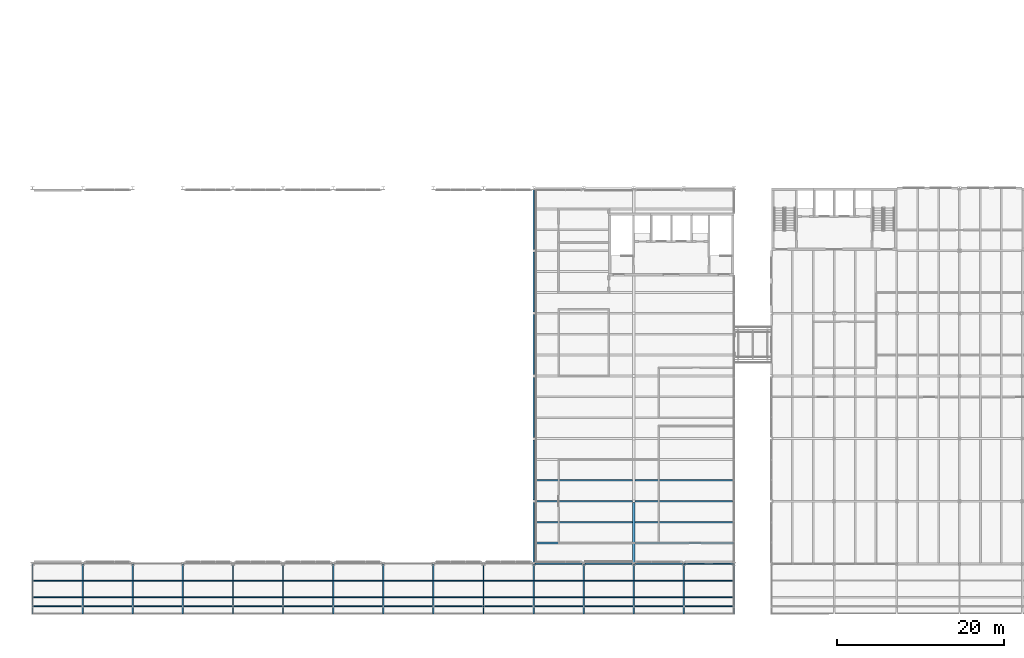
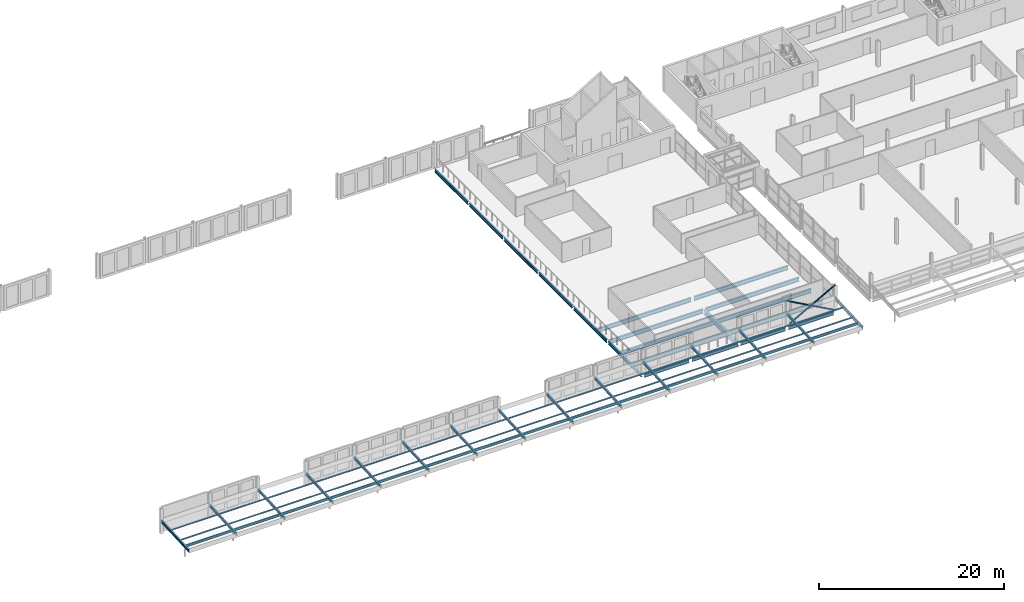
# One storey, part 36 of 214: 46 members, 33 beams.
"""IFC4 building model written with IfcOpenShell, lengths in metres."""

from ifc_helpers import new_model, si_unit, direction, frame, origin, origin_2d, place, context, subcontext, project, spatial, hollow_circle, i_section, extrude, material, material_profile, profile_set, type_object, element, save


model = new_model("IFC4")

# Units and contexts
model_context = context("Model", 3, precision=1e-05, world=origin(), true_north=direction((0.0, 1.0)))
body_context = subcontext(model_context, "Body", "Model", "MODEL_VIEW")
ifc_project = project(units=[si_unit("LENGTHUNIT", "METRE"), si_unit("AREAUNIT", "SQUARE_METRE"), si_unit("VOLUMEUNIT", "CUBIC_METRE"), si_unit("PLANEANGLEUNIT", "RADIAN"), si_unit("MASSUNIT", "GRAM", prefix="KILO")], contexts=[model_context])

# Site, building, storey
site_placement = place(None, origin())
site = spatial("IfcSite", under=ifc_project, at=site_placement, CompositionType="ELEMENT")
building_placement = place(site_placement, origin())
building = spatial("IfcBuilding", under=site, at=building_placement, Name="Parallax Yard Mobility Hub", CompositionType="ELEMENT")
storey_placement = place(building_placement, frame((0.0, 0.0, 3.300048828125)))
storey = spatial("IfcBuildingStorey", under=building, at=storey_placement, Name="L01", CompositionType="ELEMENT", Elevation=3.300048828125)

# Beams
ifc_material_1 = material(Name="Steel ASTM A992", Category="steel")
ifc_material_profile_1 = material_profile(ifc_material_1, i_section(OverallWidth=0.1650390625, OverallDepth=0.31005859375, WebThickness=0.005859375, FlangeThickness=0.009765625, at=origin_2d()), Name="W310x39")
ifc_profile_set_1 = profile_set([ifc_material_profile_1], Name="Steel ASTM A992")
beam_type_1 = type_object("IfcBeamType", Name="Arcade edge beam W310x39", PredefinedType="SPANDREL", material=ifc_profile_set_1)
for number, where, z_axis, x_axis, name in (
    (1, (9.08251953125, 2.40771484375, 1.35546875), (1.0, 0.0, 0.0), (0.0, 0.998752343433, 0.049937525845), "Arcade edge beam V1 bay 1"),
    (2, (15.08251953125, 2.40771484375, 1.35546875), (1.0, 0.0, 0.0), (0.0, 0.998752343433, 0.049937525845), "Arcade edge beam V1 bay 2"),
    (3, (21.08251953125, 2.40771484375, 1.35546875), (1.0, 0.0, 0.0), (0.0, 0.998752343433, 0.049937525845), "Arcade edge beam V1 bay 3"),
    (4, (27.08251953125, 2.40771484375, 1.35546875), (1.0, 0.0, 0.0), (0.0, 0.998752343433, 0.049937525845), "Arcade edge beam V1 bay 4"),
    (5, (33.08251953125, 2.40771484375, 1.35546875), (1.0, 0.0, 0.0), (0.0, 0.998752343433, 0.049937525845), "Arcade edge beam V1 bay 5"),
    (6, (39.08251953125, 2.40771484375, 1.35546875), (1.0, 0.0, 0.0), (0.0, 0.998752343433, 0.049937525845), "Arcade edge beam V1 bay 6"),
    (7, (45.08251953125, 2.40771484375, 1.35546875), (1.0, 0.0, 0.0), (0.0, 0.998752343433, 0.049937525845), "Arcade edge beam V1 bay 7"),
    (8, (51.08251953125, 2.40771484375, 1.35546875), (1.0, 0.0, 0.0), (0.0, 0.998752343433, 0.049937525845), "Arcade edge beam V1 bay 8"),
    (9, (57.08251953125, 2.40771484375, 1.35546875), (1.0, 0.0, 0.0), (0.0, 0.998752343433, 0.049937525845), "Arcade edge beam V1 bay 9"),
    (10, (63.08251953125, 2.40771484375, 1.35546875), (1.0, 0.0, 0.0), (0.0, 0.998752343433, 0.049937525845), "Arcade edge beam V1 bay 10"),
    (11, (69.08251953125, 2.40771484375, 1.35546875), (1.0, 0.0, 0.0), (0.0, 0.998752343433, 0.049937525845), "Arcade edge beam V1 bay 11"),
    (12, (75.08251953125, 2.40771484375, 1.35546875), (1.0, 0.0, 0.0), (0.0, 0.998752343433, 0.049937525845), "Arcade edge beam V1 bay 12"),
    (13, (81.08251953125, 2.40771484375, 1.35546875), (1.0, 0.0, 0.0), (0.0, 0.998752343433, 0.049937525845), "Arcade edge beam V1 bay 13"),
    (14, (87.08251953125, 2.40771484375, 1.35546875), (1.0, 0.0, 0.0), (0.0, 0.998752343433, 0.049937525845), "Arcade edge beam V1 bay 14"),
):
    element("IfcBeam", number, at=place(storey_placement, frame(where, z_axis=z_axis, x_axis=x_axis)), inside=storey, type_object=beam_type_1, Name=name, PredefinedType="SPANDREL", context=body_context, shape_type="SweptSolid", body=[
        extrude(i_section(OverallWidth=0.1650390625, OverallDepth=0.31005859375, WebThickness=0.005859375, FlangeThickness=0.009765625, at=origin_2d()), origin(), (0.0, 0.0, 1.0), 5.8349609375),
    ])

# Members
ifc_material_profile_2 = material_profile(ifc_material_1, i_section(OverallWidth=0.10205078125, OverallDepth=0.153076171875, WebThickness=0.005859375, FlangeThickness=0.007080078125, at=origin_2d()), Name="W150x18")
ifc_profile_set_2 = profile_set([ifc_material_profile_2], Name="Steel ASTM A992")
member_type_1 = type_object("IfcMemberType", Name="Arcade purlin W150x18", PredefinedType="PURLIN", material=ifc_profile_set_2)
for number, where, z_axis, x_axis, name in (
    (15, (9.08251953125, 3.50390625, 1.489013671875), (1.0, 0.0, 0.0), (0.0, 0.998752343433, 0.049937525845), "Arcade purlin V1 bay 1 line 1"),
    (16, (9.08251953125, 5.50390625, 1.5888671875), (1.0, 0.0, 0.0), (0.0, 0.998752343433, 0.049937525845), "Arcade purlin V1 bay 1 line 2"),
    (17, (15.08251953125, 3.50390625, 1.489013671875), (1.0, 0.0, 0.0), (0.0, 0.998752343433, 0.049937525845), "Arcade purlin V1 bay 2 line 1"),
    (18, (15.08251953125, 5.50390625, 1.5888671875), (1.0, 0.0, 0.0), (0.0, 0.998752343433, 0.049937525845), "Arcade purlin V1 bay 2 line 2"),
    (19, (21.08251953125, 3.50390625, 1.489013671875), (1.0, 0.0, 0.0), (0.0, 0.998752343433, 0.049937525845), "Arcade purlin V1 bay 3 line 1"),
    (20, (21.08251953125, 5.50390625, 1.5888671875), (1.0, 0.0, 0.0), (0.0, 0.998752343433, 0.049937525845), "Arcade purlin V1 bay 3 line 2"),
    (21, (27.08251953125, 3.50390625, 1.489013671875), (1.0, 0.0, 0.0), (0.0, 0.998752343433, 0.049937525845), "Arcade purlin V1 bay 4 line 1"),
    (22, (27.08251953125, 5.50390625, 1.5888671875), (1.0, 0.0, 0.0), (0.0, 0.998752343433, 0.049937525845), "Arcade purlin V1 bay 4 line 2"),
    (23, (33.08251953125, 3.50390625, 1.489013671875), (1.0, 0.0, 0.0), (0.0, 0.998752343433, 0.049937525845), "Arcade purlin V1 bay 5 line 1"),
    (24, (33.08251953125, 5.50390625, 1.5888671875), (1.0, 0.0, 0.0), (0.0, 0.998752343433, 0.049937525845), "Arcade purlin V1 bay 5 line 2"),
    (25, (39.08251953125, 3.50390625, 1.489013671875), (1.0, 0.0, 0.0), (0.0, 0.998752343433, 0.049937525845), "Arcade purlin V1 bay 6 line 1"),
    (26, (39.08251953125, 5.50390625, 1.5888671875), (1.0, 0.0, 0.0), (0.0, 0.998752343433, 0.049937525845), "Arcade purlin V1 bay 6 line 2"),
    (27, (45.08251953125, 3.50390625, 1.489013671875), (1.0, 0.0, 0.0), (0.0, 0.998752343433, 0.049937525845), "Arcade purlin V1 bay 7 line 1"),
    (28, (45.08251953125, 5.50390625, 1.5888671875), (1.0, 0.0, 0.0), (0.0, 0.998752343433, 0.049937525845), "Arcade purlin V1 bay 7 line 2"),
    (29, (51.08251953125, 3.50390625, 1.489013671875), (1.0, 0.0, 0.0), (0.0, 0.998752343433, 0.049937525845), "Arcade purlin V1 bay 8 line 1"),
    (30, (51.08251953125, 5.50390625, 1.5888671875), (1.0, 0.0, 0.0), (0.0, 0.998752343433, 0.049937525845), "Arcade purlin V1 bay 8 line 2"),
    (31, (57.08251953125, 3.50390625, 1.489013671875), (1.0, 0.0, 0.0), (0.0, 0.998752343433, 0.049937525845), "Arcade purlin V1 bay 9 line 1"),
    (32, (57.08251953125, 5.50390625, 1.5888671875), (1.0, 0.0, 0.0), (0.0, 0.998752343433, 0.049937525845), "Arcade purlin V1 bay 9 line 2"),
    (33, (63.08251953125, 3.50390625, 1.489013671875), (1.0, 0.0, 0.0), (0.0, 0.998752343433, 0.049937525845), "Arcade purlin V1 bay 10 line 1"),
    (34, (63.08251953125, 5.50390625, 1.5888671875), (1.0, 0.0, 0.0), (0.0, 0.998752343433, 0.049937525845), "Arcade purlin V1 bay 10 line 2"),
    (35, (69.08251953125, 3.50390625, 1.489013671875), (1.0, 0.0, 0.0), (0.0, 0.998752343433, 0.049937525845), "Arcade purlin V1 bay 11 line 1"),
    (36, (69.08251953125, 5.50390625, 1.5888671875), (1.0, 0.0, 0.0), (0.0, 0.998752343433, 0.049937525845), "Arcade purlin V1 bay 11 line 2"),
    (37, (75.08251953125, 3.50390625, 1.489013671875), (1.0, 0.0, 0.0), (0.0, 0.998752343433, 0.049937525845), "Arcade purlin V1 bay 12 line 1"),
    (38, (75.08251953125, 5.50390625, 1.5888671875), (1.0, 0.0, 0.0), (0.0, 0.998752343433, 0.049937525845), "Arcade purlin V1 bay 12 line 2"),
    (39, (81.08251953125, 3.50390625, 1.489013671875), (1.0, 0.0, 0.0), (0.0, 0.998752343433, 0.049937525845), "Arcade purlin V1 bay 13 line 1"),
    (40, (81.08251953125, 5.50390625, 1.5888671875), (1.0, 0.0, 0.0), (0.0, 0.998752343433, 0.049937525845), "Arcade purlin V1 bay 13 line 2"),
    (41, (87.08251953125, 3.50390625, 1.489013671875), (1.0, 0.0, 0.0), (0.0, 0.998752343433, 0.049937525845), "Arcade purlin V1 bay 14 line 1"),
    (42, (87.08251953125, 5.50390625, 1.5888671875), (1.0, 0.0, 0.0), (0.0, 0.998752343433, 0.049937525845), "Arcade purlin V1 bay 14 line 2"),
):
    element("IfcMember", number, at=place(storey_placement, frame(where, z_axis=z_axis, x_axis=x_axis)), inside=storey, type_object=member_type_1, Name=name, PredefinedType="PURLIN", context=body_context, shape_type="SweptSolid", body=[
        extrude(i_section(OverallWidth=0.10205078125, OverallDepth=0.153076171875, WebThickness=0.005859375, FlangeThickness=0.007080078125, at=origin_2d()), origin(), (0.0, 0.0, 1.0), 5.8349609375),
    ])
ifc_material_profile_3 = material_profile(ifc_material_1, i_section(OverallWidth=0.1650390625, OverallDepth=0.31005859375, WebThickness=0.005859375, FlangeThickness=0.009765625, at=origin_2d()), Name="W310x39")
ifc_profile_set_3 = profile_set([ifc_material_profile_3], Name="Steel ASTM A992")
member_type_2 = type_object("IfcMemberType", Name="Arcade rafter W310x39", PredefinedType="RAFTER", material=ifc_profile_set_3)
for number, where, z_axis, x_axis, name in (
    (43, (9.0, 1.517578125, 1.31103515625), (0.0, 0.998751932804, 0.049945737755), (-1.0, 0.0, 0.0), "Arcade rafter V1 1"),
    (44, (15.0, 1.517578125, 1.31103515625), (0.0, 0.998751932804, 0.049945737755), (-1.0, 0.0, 0.0), "Arcade rafter V1 2"),
    (45, (21.0, 1.517578125, 1.31103515625), (0.0, 0.998751932804, 0.049945737755), (-1.0, 0.0, 0.0), "Arcade rafter V1 3"),
    (46, (27.0, 1.517578125, 1.31103515625), (0.0, 0.998751932804, 0.049945737755), (-1.0, 0.0, 0.0), "Arcade rafter V1 4"),
    (47, (33.0, 1.517578125, 1.31103515625), (0.0, 0.998751932804, 0.049945737755), (-1.0, 0.0, 0.0), "Arcade rafter V1 5"),
    (48, (39.0, 1.517578125, 1.31103515625), (0.0, 0.998751932804, 0.049945737755), (-1.0, 0.0, 0.0), "Arcade rafter V1 6"),
    (49, (45.0, 1.517578125, 1.31103515625), (0.0, 0.998751932804, 0.049945737755), (-1.0, 0.0, 0.0), "Arcade rafter V1 7"),
    (50, (51.0, 1.517578125, 1.31103515625), (0.0, 0.998751932804, 0.049945737755), (-1.0, 0.0, 0.0), "Arcade rafter V1 8"),
    (51, (57.0, 1.517578125, 1.31103515625), (0.0, 0.998751932804, 0.049945737755), (-1.0, 0.0, 0.0), "Arcade rafter V1 9"),
    (52, (63.0, 1.517578125, 1.31103515625), (0.0, 0.998751932804, 0.049945737755), (-1.0, 0.0, 0.0), "Arcade rafter V1 10"),
    (53, (69.0, 1.517578125, 1.31103515625), (0.0, 0.998751932804, 0.049945737755), (-1.0, 0.0, 0.0), "Arcade rafter V1 11"),
    (54, (75.0, 1.517578125, 1.31103515625), (0.0, 0.998751932804, 0.049945737755), (-1.0, 0.0, 0.0), "Arcade rafter V1 12"),
    (55, (81.0, 1.517578125, 1.31103515625), (0.0, 0.998751932804, 0.049945737755), (-1.0, 0.0, 0.0), "Arcade rafter V1 13"),
    (56, (87.0, 1.517578125, 1.31103515625), (0.0, 0.998751932804, 0.049945737755), (-1.0, 0.0, 0.0), "Arcade rafter V1 14"),
    (57, (93.0, 1.517578125, 1.31103515625), (0.0, 0.998751932804, 0.049945737755), (-1.0, 0.0, 0.0), "Arcade rafter V1 15"),
):
    element("IfcMember", number, at=place(storey_placement, frame(where, z_axis=z_axis, x_axis=x_axis)), inside=storey, type_object=member_type_2, Name=name, PredefinedType="RAFTER", context=body_context, shape_type="SweptSolid", body=[
        extrude(i_section(OverallWidth=0.1650390625, OverallDepth=0.31005859375, WebThickness=0.005859375, FlangeThickness=0.009765625, at=origin_2d()), origin(), (0.0, 0.0, 1.0), 5.997802734375),
    ])

# Beams
ifc_material_profile_4 = material_profile(ifc_material_1, i_section(OverallWidth=0.177978515625, OverallDepth=0.406005859375, WebThickness=0.0078125, FlangeThickness=0.0126953125, FilletRadius=0.01025390625, at=origin_2d()), Name="W410x60")
ifc_profile_set_4 = profile_set([ifc_material_profile_4], Name="Steel ASTM A992")
beam_type_2 = type_object("IfcBeamType", Name="W410x60 edge beam", PredefinedType="SPANDREL", material=ifc_profile_set_4)
beam_1_placement = place(storey_placement, frame((69.0, 7.68408203125, -0.343017578125), z_axis=(0.0, 1.0, 0.0), x_axis=(-1.0, 0.0, 0.0)))
element("IfcBeam", 58, at=beam_1_placement, inside=storey, type_object=beam_type_2, Name="Edge beam SB1 level L01, fold line F11 of bus and taxi deck, span 1", PredefinedType="SPANDREL", context=body_context, shape_type="SweptSolid", body=[
    extrude(i_section(OverallWidth=0.177978515625, OverallDepth=0.406005859375, WebThickness=0.0078125, FlangeThickness=0.0126953125, FilletRadius=0.01025390625, at=origin_2d()), origin(), (0.0, 0.0, 1.0), 7.162353515625),
])
beam_2_placement = place(storey_placement, frame((69.0, 15.153564453125, -0.343017578125), z_axis=(0.0, 1.0, 0.0), x_axis=(-1.0, 0.0, 0.0)))
element("IfcBeam", 59, at=beam_2_placement, inside=storey, type_object=beam_type_2, Name="Edge beam SB1 level L01, fold line F11 of bus and taxi deck, span 2", PredefinedType="SPANDREL", context=body_context, shape_type="SweptSolid", body=[
    extrude(i_section(OverallWidth=0.177978515625, OverallDepth=0.406005859375, WebThickness=0.0078125, FlangeThickness=0.0126953125, FilletRadius=0.01025390625, at=origin_2d()), origin(), (0.0, 0.0, 1.0), 7.19287109375),
])
for number, where, z_axis, x_axis, name in (
    (60, (69.0, 22.653564453125, -0.343017578125), (0.0, 1.0, 0.0), (-1.0, 0.0, 0.0), "Edge beam SB1 level L01, fold line F11 of bus and taxi deck, span 3"),
    (61, (69.0, 30.156005859375, -0.343017578125), (0.0, 1.0, 0.0), (-1.0, 0.0, 0.0), "Edge beam SB1 level L01, fold line F11 of bus and taxi deck, span 4"),
):
    element("IfcBeam", number, at=place(storey_placement, frame(where, z_axis=z_axis, x_axis=x_axis)), inside=storey, type_object=beam_type_2, Name=name, PredefinedType="SPANDREL", context=body_context, shape_type="SweptSolid", body=[
        extrude(i_section(OverallWidth=0.177978515625, OverallDepth=0.406005859375, WebThickness=0.0078125, FlangeThickness=0.0126953125, FilletRadius=0.01025390625, at=origin_2d()), origin(), (0.0, 0.0, 1.0), 7.1904296875),
    ])
beam_3_placement = place(storey_placement, frame((69.0, 37.653564453125, -0.343017578125), z_axis=(0.0, 1.0, 0.0), x_axis=(-1.0, 0.0, 0.0)))
element("IfcBeam", 62, at=beam_3_placement, inside=storey, type_object=beam_type_2, Name="Edge beam SB1 level L01, fold line F11 of bus and taxi deck, span 5", PredefinedType="SPANDREL", context=body_context, shape_type="SweptSolid", body=[
    extrude(i_section(OverallWidth=0.177978515625, OverallDepth=0.406005859375, WebThickness=0.0078125, FlangeThickness=0.0126953125, FilletRadius=0.01025390625, at=origin_2d()), origin(), (0.0, 0.0, 1.0), 7.19287109375),
])
beam_4_placement = place(storey_placement, frame((69.0, 45.153564453125, -0.343017578125), z_axis=(0.0, 1.0, 0.0), x_axis=(-1.0, 0.0, 0.0)))
element("IfcBeam", 63, at=beam_4_placement, inside=storey, type_object=beam_type_2, Name="Edge beam SB1 level L01, fold line F11 of bus and taxi deck, span 6", PredefinedType="SPANDREL", context=body_context, shape_type="SweptSolid", body=[
    extrude(i_section(OverallWidth=0.177978515625, OverallDepth=0.406005859375, WebThickness=0.0078125, FlangeThickness=0.0126953125, FilletRadius=0.01025390625, at=origin_2d()), origin(), (0.0, 0.0, 1.0), 7.162353515625),
])
for number, where, z_axis, x_axis, name in (
    (64, (69.1865234375, 7.5, -0.343017578125), (1.0, 0.0, 0.0), (0.0, 1.0, 0.0), "Edge beam SB1 level L01, line B of bus and taxi deck, span 1"),
    (65, (75.1865234375, 7.5, -0.343017578125), (1.0, 0.0, 0.0), (0.0, 1.0, 0.0), "Edge beam SB1 level L01, line B of bus and taxi deck, span 2"),
    (66, (81.1865234375, 7.5, -0.343017578125), (1.0, 0.0, 0.0), (0.0, 1.0, 0.0), "Edge beam SB1 level L01, line B of bus and taxi deck, span 3"),
    (67, (87.1865234375, 7.5, -0.343017578125), (1.0, 0.0, 0.0), (0.0, 1.0, 0.0), "Edge beam SB1 level L01, line B of bus and taxi deck, span 4"),
):
    element("IfcBeam", number, at=place(storey_placement, frame(where, z_axis=z_axis, x_axis=x_axis)), inside=storey, type_object=beam_type_2, Name=name, PredefinedType="SPANDREL", context=body_context, shape_type="SweptSolid", body=[
        extrude(i_section(OverallWidth=0.177978515625, OverallDepth=0.406005859375, WebThickness=0.0078125, FlangeThickness=0.0126953125, FilletRadius=0.01025390625, at=origin_2d()), origin(), (0.0, 0.0, 1.0), 5.626953125),
    ])
ifc_material_profile_5 = material_profile(ifc_material_1, i_section(OverallWidth=0.208984375, OverallDepth=0.532958984375, WebThickness=0.01025390625, FlangeThickness=0.015625, FilletRadius=0.0126953125, at=origin_2d()), Name="W530x92")
ifc_profile_set_5 = profile_set([ifc_material_profile_5], Name="Steel ASTM A992")
beam_type_3 = type_object("IfcBeamType", Name="W530x92 secondary beam", PredefinedType="JOIST", material=ifc_profile_set_5)
for number, where, z_axis, x_axis, name in (
    (68, (69.089111328125, 10.0, -0.406494140625), (1.0, 0.0, 0.0), (0.0, 1.0, 0.0), "Secondary beam B2 level L01, 2.5 m north of line B of bus and taxi deck, span 1"),
    (69, (81.16259765625, 10.0, -0.406494140625), (1.0, 0.0, 0.0), (0.0, 1.0, 0.0), "Secondary beam B2 level L01, 2.5 m north of line B of bus and taxi deck, span 2"),
    (70, (69.089111328125, 17.5, -0.406494140625), (1.0, 0.0, 0.0), (0.0, 1.0, 0.0), "Secondary beam B2 level L01, 2.5 m north of line C of bus and taxi deck, span 1"),
    (71, (81.16259765625, 17.5, -0.406494140625), (1.0, 0.0, 0.0), (0.0, 1.0, 0.0), "Secondary beam B2 level L01, 2.5 m north of line C of bus and taxi deck, span 2"),
    (72, (69.089111328125, 12.5, -0.406494140625), (1.0, 0.0, 0.0), (0.0, 1.0, 0.0), "Secondary beam B2 level L01, 5 m north of line B of bus and taxi deck, span 1"),
    (73, (81.16259765625, 12.5, -0.406494140625), (1.0, 0.0, 0.0), (0.0, 1.0, 0.0), "Secondary beam B2 level L01, 5 m north of line B of bus and taxi deck, span 2"),
):
    element("IfcBeam", number, at=place(storey_placement, frame(where, z_axis=z_axis, x_axis=x_axis)), inside=storey, type_object=beam_type_3, Name=name, PredefinedType="JOIST", context=body_context, shape_type="SweptSolid", body=[
        extrude(i_section(OverallWidth=0.208984375, OverallDepth=0.532958984375, WebThickness=0.01025390625, FlangeThickness=0.015625, FilletRadius=0.0126953125, at=origin_2d()), origin(), (0.0, 0.0, 1.0), 11.748291015625),
    ])
for number, where, z_axis, x_axis, name in (
    (74, (69.152587890625, 15.0, -0.406494140625), (1.0, 0.0, 0.0), (0.0, 1.0, 0.0), "Secondary beam B2 level L01, line C of bus and taxi deck, span 1"),
    (75, (81.152587890625, 15.0, -0.406494140625), (1.0, 0.0, 0.0), (0.0, 1.0, 0.0), "Secondary beam B2 level L01, line C of bus and taxi deck, span 2"),
):
    element("IfcBeam", number, at=place(storey_placement, frame(where, z_axis=z_axis, x_axis=x_axis)), inside=storey, type_object=beam_type_3, Name=name, PredefinedType="JOIST", context=body_context, shape_type="SweptSolid", body=[
        extrude(i_section(OverallWidth=0.208984375, OverallDepth=0.532958984375, WebThickness=0.01025390625, FlangeThickness=0.015625, FilletRadius=0.0126953125, at=origin_2d()), origin(), (0.0, 0.0, 1.0), 11.69482421875),
    ])
ifc_material_profile_6 = material_profile(ifc_material_1, i_section(OverallWidth=0.324951171875, OverallDepth=0.612060546875, WebThickness=0.0126953125, FlangeThickness=0.01904296875, FilletRadius=0.0126953125, at=origin_2d()), Name="W610x155")
ifc_profile_set_6 = profile_set([ifc_material_profile_6], Name="Steel ASTM A992")
beam_type_4 = type_object("IfcBeamType", Name="W610x155 girder", PredefinedType="BEAM", material=ifc_profile_set_6)
beam_5_placement = place(storey_placement, frame((81.0, 7.68408203125, -0.446044921875), z_axis=(0.0, 1.0, 0.0), x_axis=(-1.0, 0.0, 0.0)))
element("IfcBeam", 76, at=beam_5_placement, inside=storey, type_object=beam_type_4, Name="Girder G4 level L01, fold line F13 of bus and taxi deck, span 1", PredefinedType="BEAM", context=body_context, shape_type="SweptSolid", body=[
    extrude(i_section(OverallWidth=0.324951171875, OverallDepth=0.612060546875, WebThickness=0.0126953125, FlangeThickness=0.01904296875, FilletRadius=0.0126953125, at=origin_2d()), origin(), (0.0, 0.0, 1.0), 7.162353515625),
])

# Members
ifc_material_2 = material(Name="Steel ASTM A500 Gr C", Category="steel")
ifc_material_profile_7 = material_profile(ifc_material_2, hollow_circle(Radius=0.0888671875, WallThickness=0.0078125, at=origin_2d()), Name="HSS177.8x7.9")
ifc_profile_set_7 = profile_set([ifc_material_profile_7], Name="Steel ASTM A500 Gr C")
member_type_3 = type_object("IfcMemberType", Name="Wall brace HSS177.8x7.9", PredefinedType="BRACE", material=ifc_profile_set_7)
member_placement = place(storey_placement, frame((87.0, 7.5, 0.0), z_axis=(0.876212897641, 0.0, 0.481924224341), x_axis=(0.0, 1.0, 0.0)))
element("IfcMember", 77, at=member_placement, inside=storey, type_object=member_type_3, Name="X brace east end bay south face level 1 1", PredefinedType="BRACE", context=body_context, shape_type="SweptSolid", body=[
    extrude(hollow_circle(Radius=0.0888671875, WallThickness=0.0078125, at=origin_2d()), origin(), (0.0, 0.0, 1.0), 6.84765625),
])
for number, where, z_axis, x_axis, name in (
    (78, (93.0, 7.5, 0.0), (-0.876220551786, 0.0, 0.481910307659), (0.0, -1.0, 0.0), "X brace east end bay south face level 1 2 (half 1)"),
    (79, (89.918212890625, 7.5, 1.695068359375), (-0.876220551786, 0.0, 0.481910307659), (0.0, -1.0, 0.0), "X brace east end bay south face level 1 2 (half 2)"),
):
    element("IfcMember", number, at=place(storey_placement, frame(where, z_axis=z_axis, x_axis=x_axis)), inside=storey, type_object=member_type_3, Name=name, PredefinedType="BRACE", context=body_context, shape_type="SweptSolid", body=[
        extrude(hollow_circle(Radius=0.0888671875, WallThickness=0.0078125, at=origin_2d()), origin(), (0.0, 0.0, 1.0), 3.33056640625),
    ])

save(model, "model.ifc")
